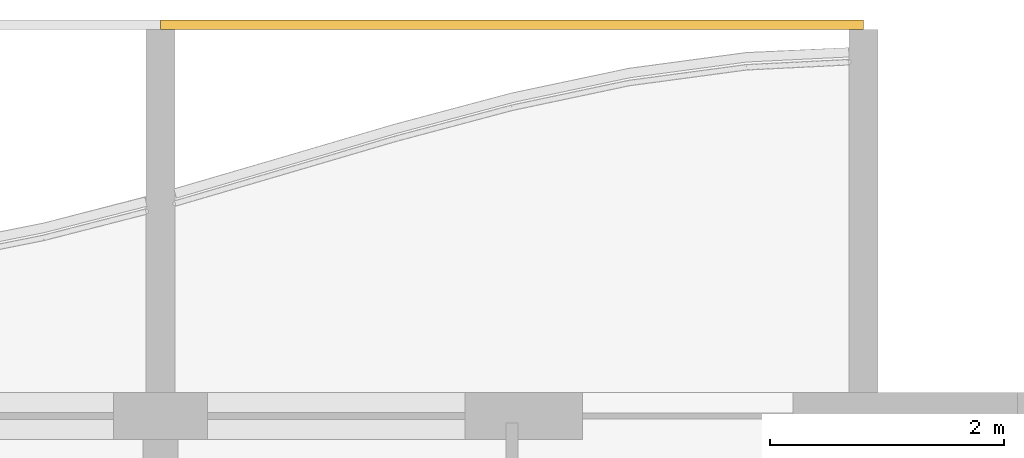
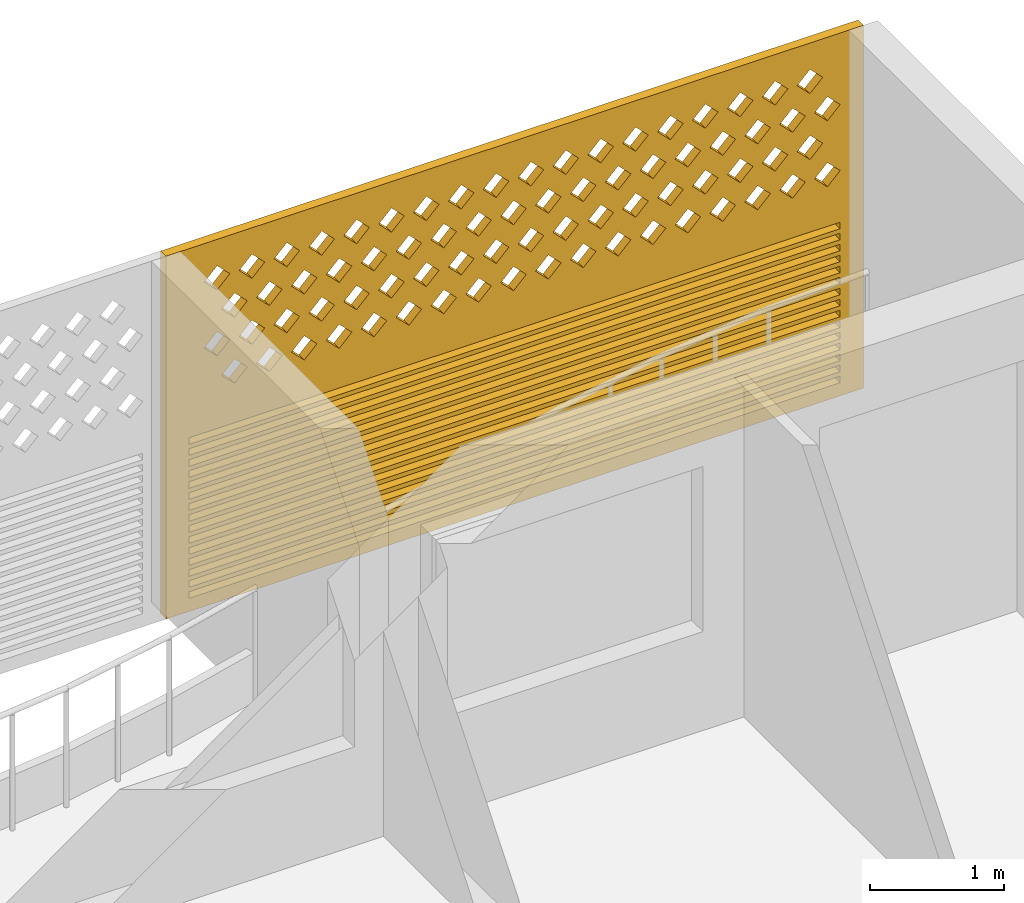
# One storey, part 32 of 32: 1 covering.
"""IFC4 building model written with IfcOpenShell, lengths in metres."""

from ifc_helpers import new_model, si_unit, direction, frame, origin, place, context, subcontext, project, spatial, polyline, outline, extrude, source, transform, mapped, material, material_profile, profile_set, type_object, element, save


model = new_model("IFC4")

# Units and contexts
model_context = context("Model", 3, precision=1e-05, world=origin(), true_north=direction((0.0, 1.0)))
body_context = subcontext(model_context, "Body", "Model", "MODEL_VIEW")
ifc_project = project(units=[si_unit("LENGTHUNIT", "METRE"), si_unit("AREAUNIT", "SQUARE_METRE"), si_unit("VOLUMEUNIT", "CUBIC_METRE"), si_unit("PLANEANGLEUNIT", "RADIAN"), si_unit("MASSUNIT", "GRAM", prefix="KILO")], contexts=[model_context])

# Site, building, storey
site_placement = place(None, origin())
site = spatial("IfcSite", under=ifc_project, at=site_placement, CompositionType="ELEMENT")
building_placement = place(site_placement, origin())
building = spatial("IfcBuilding", under=site, at=building_placement, Name="Poui Terraces", CompositionType="ELEMENT")
storey_placement = place(building_placement, frame((0.0, 0.0, 155.39990234375)))
storey = spatial("IfcBuildingStorey", under=building, at=storey_placement, Name="L43", CompositionType="ELEMENT", Elevation=155.39990234375)

# Covering
ifc_material = material(Name="Terracotta screen", Category="masonry")
ifc_material_profile = material_profile(ifc_material, outline(polyline([(-3.0, -1.64990234375), (3.0, -1.64990234375), (3.0, 1.64990234375), (-3.0, 1.64990234375), (-3.0, -1.64990234375)]), holes=[polyline([(-2.800048828125, 0.39990234375), (-2.68994140625, 0.2900390625), (-2.580078125, 0.39990234375), (-2.68994140625, 0.510009765625), (-2.800048828125, 0.39990234375)]), polyline([(-2.5, 0.39990234375), (-2.389892578125, 0.2900390625), (-2.280029296875, 0.39990234375), (-2.389892578125, 0.510009765625), (-2.5, 0.39990234375)]), polyline([(-2.199951171875, 0.39990234375), (-2.090087890625, 0.2900390625), (-1.97998046875, 0.39990234375), (-2.090087890625, 0.510009765625), (-2.199951171875, 0.39990234375)]), polyline([(-1.89990234375, 0.39990234375), (-1.7900390625, 0.2900390625), (-1.679931640625, 0.39990234375), (-1.7900390625, 0.510009765625), (-1.89990234375, 0.39990234375)]), polyline([(-1.60009765625, 0.39990234375), (-1.489990234375, 0.2900390625), (-1.3798828125, 0.39990234375), (-1.489990234375, 0.510009765625), (-1.60009765625, 0.39990234375)]), polyline([(-1.300048828125, 0.39990234375), (-1.18994140625, 0.2900390625), (-1.080078125, 0.39990234375), (-1.18994140625, 0.510009765625), (-1.300048828125, 0.39990234375)]), polyline([(-1.0, 0.39990234375), (-0.889892578125, 0.2900390625), (-0.780029296875, 0.39990234375), (-0.889892578125, 0.510009765625), (-1.0, 0.39990234375)]), polyline([(-0.699951171875, 0.39990234375), (-0.590087890625, 0.2900390625), (-0.47998046875, 0.39990234375), (-0.590087890625, 0.510009765625), (-0.699951171875, 0.39990234375)]), polyline([(-0.39990234375, 0.39990234375), (-0.2900390625, 0.2900390625), (-0.179931640625, 0.39990234375), (-0.2900390625, 0.510009765625), (-0.39990234375, 0.39990234375)]), polyline([(-0.10009765625, 0.39990234375), (0.010009765625, 0.2900390625), (0.1201171875, 0.39990234375), (0.010009765625, 0.510009765625), (-0.10009765625, 0.39990234375)]), polyline([(0.199951171875, 0.39990234375), (0.31005859375, 0.2900390625), (0.419921875, 0.39990234375), (0.31005859375, 0.510009765625), (0.199951171875, 0.39990234375)]), polyline([(0.5, 0.39990234375), (0.610107421875, 0.2900390625), (0.719970703125, 0.39990234375), (0.610107421875, 0.510009765625), (0.5, 0.39990234375)]), polyline([(0.800048828125, 0.39990234375), (0.909912109375, 0.2900390625), (1.02001953125, 0.39990234375), (0.909912109375, 0.510009765625), (0.800048828125, 0.39990234375)]), polyline([(1.10009765625, 0.39990234375), (1.2099609375, 0.2900390625), (1.320068359375, 0.39990234375), (1.2099609375, 0.510009765625), (1.10009765625, 0.39990234375)]), polyline([(1.39990234375, 0.39990234375), (1.510009765625, 0.2900390625), (1.6201171875, 0.39990234375), (1.510009765625, 0.510009765625), (1.39990234375, 0.39990234375)]), polyline([(1.699951171875, 0.39990234375), (1.81005859375, 0.2900390625), (1.919921875, 0.39990234375), (1.81005859375, 0.510009765625), (1.699951171875, 0.39990234375)]), polyline([(2.0, 0.39990234375), (2.110107421875, 0.2900390625), (2.219970703125, 0.39990234375), (2.110107421875, 0.510009765625), (2.0, 0.39990234375)]), polyline([(2.300048828125, 0.39990234375), (2.409912109375, 0.2900390625), (2.52001953125, 0.39990234375), (2.409912109375, 0.510009765625), (2.300048828125, 0.39990234375)]), polyline([(-2.64990234375, 0.699951171875), (-2.5400390625, 0.590087890625), (-2.429931640625, 0.699951171875), (-2.5400390625, 0.81005859375), (-2.64990234375, 0.699951171875)]), polyline([(-2.35009765625, 0.699951171875), (-2.239990234375, 0.590087890625), (-2.1298828125, 0.699951171875), (-2.239990234375, 0.81005859375), (-2.35009765625, 0.699951171875)]), polyline([(-2.050048828125, 0.699951171875), (-1.93994140625, 0.590087890625), (-1.830078125, 0.699951171875), (-1.93994140625, 0.81005859375), (-2.050048828125, 0.699951171875)]), polyline([(-1.75, 0.699951171875), (-1.639892578125, 0.590087890625), (-1.530029296875, 0.699951171875), (-1.639892578125, 0.81005859375), (-1.75, 0.699951171875)]), polyline([(-1.449951171875, 0.699951171875), (-1.340087890625, 0.590087890625), (-1.22998046875, 0.699951171875), (-1.340087890625, 0.81005859375), (-1.449951171875, 0.699951171875)]), polyline([(-1.14990234375, 0.699951171875), (-1.0400390625, 0.590087890625), (-0.929931640625, 0.699951171875), (-1.0400390625, 0.81005859375), (-1.14990234375, 0.699951171875)]), polyline([(-0.85009765625, 0.699951171875), (-0.739990234375, 0.590087890625), (-0.6298828125, 0.699951171875), (-0.739990234375, 0.81005859375), (-0.85009765625, 0.699951171875)]), polyline([(-0.550048828125, 0.699951171875), (-0.43994140625, 0.590087890625), (-0.330078125, 0.699951171875), (-0.43994140625, 0.81005859375), (-0.550048828125, 0.699951171875)]), polyline([(-0.25, 0.699951171875), (-0.139892578125, 0.590087890625), (-0.030029296875, 0.699951171875), (-0.139892578125, 0.81005859375), (-0.25, 0.699951171875)]), polyline([(0.050048828125, 0.699951171875), (0.159912109375, 0.590087890625), (0.27001953125, 0.699951171875), (0.159912109375, 0.81005859375), (0.050048828125, 0.699951171875)]), polyline([(0.35009765625, 0.699951171875), (0.4599609375, 0.590087890625), (0.570068359375, 0.699951171875), (0.4599609375, 0.81005859375), (0.35009765625, 0.699951171875)]), polyline([(0.64990234375, 0.699951171875), (0.760009765625, 0.590087890625), (0.8701171875, 0.699951171875), (0.760009765625, 0.81005859375), (0.64990234375, 0.699951171875)]), polyline([(0.949951171875, 0.699951171875), (1.06005859375, 0.590087890625), (1.169921875, 0.699951171875), (1.06005859375, 0.81005859375), (0.949951171875, 0.699951171875)]), polyline([(1.25, 0.699951171875), (1.360107421875, 0.590087890625), (1.469970703125, 0.699951171875), (1.360107421875, 0.81005859375), (1.25, 0.699951171875)]), polyline([(1.550048828125, 0.699951171875), (1.659912109375, 0.590087890625), (1.77001953125, 0.699951171875), (1.659912109375, 0.81005859375), (1.550048828125, 0.699951171875)]), polyline([(1.85009765625, 0.699951171875), (1.9599609375, 0.590087890625), (2.070068359375, 0.699951171875), (1.9599609375, 0.81005859375), (1.85009765625, 0.699951171875)]), polyline([(2.14990234375, 0.699951171875), (2.260009765625, 0.590087890625), (2.3701171875, 0.699951171875), (2.260009765625, 0.81005859375), (2.14990234375, 0.699951171875)]), polyline([(2.449951171875, 0.699951171875), (2.56005859375, 0.590087890625), (2.669921875, 0.699951171875), (2.56005859375, 0.81005859375), (2.449951171875, 0.699951171875)]), polyline([(-2.800048828125, 1.0), (-2.68994140625, 0.889892578125), (-2.580078125, 1.0), (-2.68994140625, 1.110107421875), (-2.800048828125, 1.0)]), polyline([(-2.5, 1.0), (-2.389892578125, 0.889892578125), (-2.280029296875, 1.0), (-2.389892578125, 1.110107421875), (-2.5, 1.0)]), polyline([(-2.199951171875, 1.0), (-2.090087890625, 0.889892578125), (-1.97998046875, 1.0), (-2.090087890625, 1.110107421875), (-2.199951171875, 1.0)]), polyline([(-1.89990234375, 1.0), (-1.7900390625, 0.889892578125), (-1.679931640625, 1.0), (-1.7900390625, 1.110107421875), (-1.89990234375, 1.0)]), polyline([(-1.60009765625, 1.0), (-1.489990234375, 0.889892578125), (-1.3798828125, 1.0), (-1.489990234375, 1.110107421875), (-1.60009765625, 1.0)]), polyline([(-1.300048828125, 1.0), (-1.18994140625, 0.889892578125), (-1.080078125, 1.0), (-1.18994140625, 1.110107421875), (-1.300048828125, 1.0)]), polyline([(-1.0, 1.0), (-0.889892578125, 0.889892578125), (-0.780029296875, 1.0), (-0.889892578125, 1.110107421875), (-1.0, 1.0)]), polyline([(-0.699951171875, 1.0), (-0.590087890625, 0.889892578125), (-0.47998046875, 1.0), (-0.590087890625, 1.110107421875), (-0.699951171875, 1.0)]), polyline([(-0.39990234375, 1.0), (-0.2900390625, 0.889892578125), (-0.179931640625, 1.0), (-0.2900390625, 1.110107421875), (-0.39990234375, 1.0)]), polyline([(-0.10009765625, 1.0), (0.010009765625, 0.889892578125), (0.1201171875, 1.0), (0.010009765625, 1.110107421875), (-0.10009765625, 1.0)]), polyline([(0.199951171875, 1.0), (0.31005859375, 0.889892578125), (0.419921875, 1.0), (0.31005859375, 1.110107421875), (0.199951171875, 1.0)]), polyline([(0.5, 1.0), (0.610107421875, 0.889892578125), (0.719970703125, 1.0), (0.610107421875, 1.110107421875), (0.5, 1.0)]), polyline([(0.800048828125, 1.0), (0.909912109375, 0.889892578125), (1.02001953125, 1.0), (0.909912109375, 1.110107421875), (0.800048828125, 1.0)]), polyline([(1.10009765625, 1.0), (1.2099609375, 0.889892578125), (1.320068359375, 1.0), (1.2099609375, 1.110107421875), (1.10009765625, 1.0)]), polyline([(1.39990234375, 1.0), (1.510009765625, 0.889892578125), (1.6201171875, 1.0), (1.510009765625, 1.110107421875), (1.39990234375, 1.0)]), polyline([(1.699951171875, 1.0), (1.81005859375, 0.889892578125), (1.919921875, 1.0), (1.81005859375, 1.110107421875), (1.699951171875, 1.0)]), polyline([(2.0, 1.0), (2.110107421875, 0.889892578125), (2.219970703125, 1.0), (2.110107421875, 1.110107421875), (2.0, 1.0)]), polyline([(2.300048828125, 1.0), (2.409912109375, 0.889892578125), (2.52001953125, 1.0), (2.409912109375, 1.110107421875), (2.300048828125, 1.0)]), polyline([(-2.64990234375, 1.300048828125), (-2.5400390625, 1.18994140625), (-2.429931640625, 1.300048828125), (-2.5400390625, 1.409912109375), (-2.64990234375, 1.300048828125)]), polyline([(-2.35009765625, 1.300048828125), (-2.239990234375, 1.18994140625), (-2.1298828125, 1.300048828125), (-2.239990234375, 1.409912109375), (-2.35009765625, 1.300048828125)]), polyline([(-2.050048828125, 1.300048828125), (-1.93994140625, 1.18994140625), (-1.830078125, 1.300048828125), (-1.93994140625, 1.409912109375), (-2.050048828125, 1.300048828125)]), polyline([(-1.75, 1.300048828125), (-1.639892578125, 1.18994140625), (-1.530029296875, 1.300048828125), (-1.639892578125, 1.409912109375), (-1.75, 1.300048828125)]), polyline([(-1.449951171875, 1.300048828125), (-1.340087890625, 1.18994140625), (-1.22998046875, 1.300048828125), (-1.340087890625, 1.409912109375), (-1.449951171875, 1.300048828125)]), polyline([(-1.14990234375, 1.300048828125), (-1.0400390625, 1.18994140625), (-0.929931640625, 1.300048828125), (-1.0400390625, 1.409912109375), (-1.14990234375, 1.300048828125)]), polyline([(-0.85009765625, 1.300048828125), (-0.739990234375, 1.18994140625), (-0.6298828125, 1.300048828125), (-0.739990234375, 1.409912109375), (-0.85009765625, 1.300048828125)]), polyline([(-0.550048828125, 1.300048828125), (-0.43994140625, 1.18994140625), (-0.330078125, 1.300048828125), (-0.43994140625, 1.409912109375), (-0.550048828125, 1.300048828125)]), polyline([(-0.25, 1.300048828125), (-0.139892578125, 1.18994140625), (-0.030029296875, 1.300048828125), (-0.139892578125, 1.409912109375), (-0.25, 1.300048828125)]), polyline([(0.050048828125, 1.300048828125), (0.159912109375, 1.18994140625), (0.27001953125, 1.300048828125), (0.159912109375, 1.409912109375), (0.050048828125, 1.300048828125)]), polyline([(0.35009765625, 1.300048828125), (0.4599609375, 1.18994140625), (0.570068359375, 1.300048828125), (0.4599609375, 1.409912109375), (0.35009765625, 1.300048828125)]), polyline([(0.64990234375, 1.300048828125), (0.760009765625, 1.18994140625), (0.8701171875, 1.300048828125), (0.760009765625, 1.409912109375), (0.64990234375, 1.300048828125)]), polyline([(0.949951171875, 1.300048828125), (1.06005859375, 1.18994140625), (1.169921875, 1.300048828125), (1.06005859375, 1.409912109375), (0.949951171875, 1.300048828125)]), polyline([(1.25, 1.300048828125), (1.360107421875, 1.18994140625), (1.469970703125, 1.300048828125), (1.360107421875, 1.409912109375), (1.25, 1.300048828125)]), polyline([(1.550048828125, 1.300048828125), (1.659912109375, 1.18994140625), (1.77001953125, 1.300048828125), (1.659912109375, 1.409912109375), (1.550048828125, 1.300048828125)]), polyline([(1.85009765625, 1.300048828125), (1.9599609375, 1.18994140625), (2.070068359375, 1.300048828125), (1.9599609375, 1.409912109375), (1.85009765625, 1.300048828125)]), polyline([(2.14990234375, 1.300048828125), (2.260009765625, 1.18994140625), (2.3701171875, 1.300048828125), (2.260009765625, 1.409912109375), (2.14990234375, 1.300048828125)]), polyline([(2.449951171875, 1.300048828125), (2.56005859375, 1.18994140625), (2.669921875, 1.300048828125), (2.56005859375, 1.409912109375), (2.449951171875, 1.300048828125)]), polyline([(-2.800048828125, -1.530029296875), (2.800048828125, -1.530029296875), (2.800048828125, -1.469970703125), (-2.800048828125, -1.469970703125), (-2.800048828125, -1.530029296875)]), polyline([(-2.800048828125, -1.429931640625), (2.800048828125, -1.429931640625), (2.800048828125, -1.3701171875), (-2.800048828125, -1.3701171875), (-2.800048828125, -1.429931640625)]), polyline([(-2.800048828125, -1.330078125), (2.800048828125, -1.330078125), (2.800048828125, -1.27001953125), (-2.800048828125, -1.27001953125), (-2.800048828125, -1.330078125)]), polyline([(-2.800048828125, -1.22998046875), (2.800048828125, -1.22998046875), (2.800048828125, -1.169921875), (-2.800048828125, -1.169921875), (-2.800048828125, -1.22998046875)]), polyline([(-2.800048828125, -1.1298828125), (2.800048828125, -1.1298828125), (2.800048828125, -1.070068359375), (-2.800048828125, -1.070068359375), (-2.800048828125, -1.1298828125)]), polyline([(-2.800048828125, -1.030029296875), (2.800048828125, -1.030029296875), (2.800048828125, -0.969970703125), (-2.800048828125, -0.969970703125), (-2.800048828125, -1.030029296875)]), polyline([(-2.800048828125, -0.929931640625), (2.800048828125, -0.929931640625), (2.800048828125, -0.8701171875), (-2.800048828125, -0.8701171875), (-2.800048828125, -0.929931640625)]), polyline([(-2.800048828125, -0.830078125), (2.800048828125, -0.830078125), (2.800048828125, -0.77001953125), (-2.800048828125, -0.77001953125), (-2.800048828125, -0.830078125)]), polyline([(-2.800048828125, -0.72998046875), (2.800048828125, -0.72998046875), (2.800048828125, -0.669921875), (-2.800048828125, -0.669921875), (-2.800048828125, -0.72998046875)]), polyline([(-2.800048828125, -0.6298828125), (2.800048828125, -0.6298828125), (2.800048828125, -0.570068359375), (-2.800048828125, -0.570068359375), (-2.800048828125, -0.6298828125)]), polyline([(-2.800048828125, -0.530029296875), (2.800048828125, -0.530029296875), (2.800048828125, -0.469970703125), (-2.800048828125, -0.469970703125), (-2.800048828125, -0.530029296875)]), polyline([(-2.800048828125, -0.429931640625), (2.800048828125, -0.429931640625), (2.800048828125, -0.3701171875), (-2.800048828125, -0.3701171875), (-2.800048828125, -0.429931640625)]), polyline([(-2.800048828125, -0.330078125), (2.800048828125, -0.330078125), (2.800048828125, -0.27001953125), (-2.800048828125, -0.27001953125), (-2.800048828125, -0.330078125)]), polyline([(-2.800048828125, -0.22998046875), (2.800048828125, -0.22998046875), (2.800048828125, -0.169921875), (-2.800048828125, -0.169921875), (-2.800048828125, -0.22998046875)]), polyline([(-2.800048828125, -0.1298828125), (2.800048828125, -0.1298828125), (2.800048828125, -0.070068359375), (-2.800048828125, -0.070068359375), (-2.800048828125, -0.1298828125)])]), Name="TERRACOTTA SCREEN AND JALOUSIE LOUVRE 6000X3300")
ifc_profile_set = profile_set([ifc_material_profile], Name="Terracotta screen")
covering_type = type_object("IfcCoveringType", Name="TERRACOTTA SCREEN AND JALOUSIE LOUVRE 6000X3300", PredefinedType="CLADDING", material=ifc_profile_set)
shared_shape = source(origin(), body_context, "Body", "SweptSolid", [
    extrude(outline(polyline([(-3.0, -1.64990234375), (3.0, -1.64990234375), (3.0, 1.64990234375), (-3.0, 1.64990234375), (-3.0, -1.64990234375)]), holes=[polyline([(-2.800048828125, 0.39990234375), (-2.68994140625, 0.2900390625), (-2.580078125, 0.39990234375), (-2.68994140625, 0.510009765625), (-2.800048828125, 0.39990234375)]), polyline([(-2.5, 0.39990234375), (-2.389892578125, 0.2900390625), (-2.280029296875, 0.39990234375), (-2.389892578125, 0.510009765625), (-2.5, 0.39990234375)]), polyline([(-2.199951171875, 0.39990234375), (-2.090087890625, 0.2900390625), (-1.97998046875, 0.39990234375), (-2.090087890625, 0.510009765625), (-2.199951171875, 0.39990234375)]), polyline([(-1.89990234375, 0.39990234375), (-1.7900390625, 0.2900390625), (-1.679931640625, 0.39990234375), (-1.7900390625, 0.510009765625), (-1.89990234375, 0.39990234375)]), polyline([(-1.60009765625, 0.39990234375), (-1.489990234375, 0.2900390625), (-1.3798828125, 0.39990234375), (-1.489990234375, 0.510009765625), (-1.60009765625, 0.39990234375)]), polyline([(-1.300048828125, 0.39990234375), (-1.18994140625, 0.2900390625), (-1.080078125, 0.39990234375), (-1.18994140625, 0.510009765625), (-1.300048828125, 0.39990234375)]), polyline([(-1.0, 0.39990234375), (-0.889892578125, 0.2900390625), (-0.780029296875, 0.39990234375), (-0.889892578125, 0.510009765625), (-1.0, 0.39990234375)]), polyline([(-0.699951171875, 0.39990234375), (-0.590087890625, 0.2900390625), (-0.47998046875, 0.39990234375), (-0.590087890625, 0.510009765625), (-0.699951171875, 0.39990234375)]), polyline([(-0.39990234375, 0.39990234375), (-0.2900390625, 0.2900390625), (-0.179931640625, 0.39990234375), (-0.2900390625, 0.510009765625), (-0.39990234375, 0.39990234375)]), polyline([(-0.10009765625, 0.39990234375), (0.010009765625, 0.2900390625), (0.1201171875, 0.39990234375), (0.010009765625, 0.510009765625), (-0.10009765625, 0.39990234375)]), polyline([(0.199951171875, 0.39990234375), (0.31005859375, 0.2900390625), (0.419921875, 0.39990234375), (0.31005859375, 0.510009765625), (0.199951171875, 0.39990234375)]), polyline([(0.5, 0.39990234375), (0.610107421875, 0.2900390625), (0.719970703125, 0.39990234375), (0.610107421875, 0.510009765625), (0.5, 0.39990234375)]), polyline([(0.800048828125, 0.39990234375), (0.909912109375, 0.2900390625), (1.02001953125, 0.39990234375), (0.909912109375, 0.510009765625), (0.800048828125, 0.39990234375)]), polyline([(1.10009765625, 0.39990234375), (1.2099609375, 0.2900390625), (1.320068359375, 0.39990234375), (1.2099609375, 0.510009765625), (1.10009765625, 0.39990234375)]), polyline([(1.39990234375, 0.39990234375), (1.510009765625, 0.2900390625), (1.6201171875, 0.39990234375), (1.510009765625, 0.510009765625), (1.39990234375, 0.39990234375)]), polyline([(1.699951171875, 0.39990234375), (1.81005859375, 0.2900390625), (1.919921875, 0.39990234375), (1.81005859375, 0.510009765625), (1.699951171875, 0.39990234375)]), polyline([(2.0, 0.39990234375), (2.110107421875, 0.2900390625), (2.219970703125, 0.39990234375), (2.110107421875, 0.510009765625), (2.0, 0.39990234375)]), polyline([(2.300048828125, 0.39990234375), (2.409912109375, 0.2900390625), (2.52001953125, 0.39990234375), (2.409912109375, 0.510009765625), (2.300048828125, 0.39990234375)]), polyline([(-2.64990234375, 0.699951171875), (-2.5400390625, 0.590087890625), (-2.429931640625, 0.699951171875), (-2.5400390625, 0.81005859375), (-2.64990234375, 0.699951171875)]), polyline([(-2.35009765625, 0.699951171875), (-2.239990234375, 0.590087890625), (-2.1298828125, 0.699951171875), (-2.239990234375, 0.81005859375), (-2.35009765625, 0.699951171875)]), polyline([(-2.050048828125, 0.699951171875), (-1.93994140625, 0.590087890625), (-1.830078125, 0.699951171875), (-1.93994140625, 0.81005859375), (-2.050048828125, 0.699951171875)]), polyline([(-1.75, 0.699951171875), (-1.639892578125, 0.590087890625), (-1.530029296875, 0.699951171875), (-1.639892578125, 0.81005859375), (-1.75, 0.699951171875)]), polyline([(-1.449951171875, 0.699951171875), (-1.340087890625, 0.590087890625), (-1.22998046875, 0.699951171875), (-1.340087890625, 0.81005859375), (-1.449951171875, 0.699951171875)]), polyline([(-1.14990234375, 0.699951171875), (-1.0400390625, 0.590087890625), (-0.929931640625, 0.699951171875), (-1.0400390625, 0.81005859375), (-1.14990234375, 0.699951171875)]), polyline([(-0.85009765625, 0.699951171875), (-0.739990234375, 0.590087890625), (-0.6298828125, 0.699951171875), (-0.739990234375, 0.81005859375), (-0.85009765625, 0.699951171875)]), polyline([(-0.550048828125, 0.699951171875), (-0.43994140625, 0.590087890625), (-0.330078125, 0.699951171875), (-0.43994140625, 0.81005859375), (-0.550048828125, 0.699951171875)]), polyline([(-0.25, 0.699951171875), (-0.139892578125, 0.590087890625), (-0.030029296875, 0.699951171875), (-0.139892578125, 0.81005859375), (-0.25, 0.699951171875)]), polyline([(0.050048828125, 0.699951171875), (0.159912109375, 0.590087890625), (0.27001953125, 0.699951171875), (0.159912109375, 0.81005859375), (0.050048828125, 0.699951171875)]), polyline([(0.35009765625, 0.699951171875), (0.4599609375, 0.590087890625), (0.570068359375, 0.699951171875), (0.4599609375, 0.81005859375), (0.35009765625, 0.699951171875)]), polyline([(0.64990234375, 0.699951171875), (0.760009765625, 0.590087890625), (0.8701171875, 0.699951171875), (0.760009765625, 0.81005859375), (0.64990234375, 0.699951171875)]), polyline([(0.949951171875, 0.699951171875), (1.06005859375, 0.590087890625), (1.169921875, 0.699951171875), (1.06005859375, 0.81005859375), (0.949951171875, 0.699951171875)]), polyline([(1.25, 0.699951171875), (1.360107421875, 0.590087890625), (1.469970703125, 0.699951171875), (1.360107421875, 0.81005859375), (1.25, 0.699951171875)]), polyline([(1.550048828125, 0.699951171875), (1.659912109375, 0.590087890625), (1.77001953125, 0.699951171875), (1.659912109375, 0.81005859375), (1.550048828125, 0.699951171875)]), polyline([(1.85009765625, 0.699951171875), (1.9599609375, 0.590087890625), (2.070068359375, 0.699951171875), (1.9599609375, 0.81005859375), (1.85009765625, 0.699951171875)]), polyline([(2.14990234375, 0.699951171875), (2.260009765625, 0.590087890625), (2.3701171875, 0.699951171875), (2.260009765625, 0.81005859375), (2.14990234375, 0.699951171875)]), polyline([(2.449951171875, 0.699951171875), (2.56005859375, 0.590087890625), (2.669921875, 0.699951171875), (2.56005859375, 0.81005859375), (2.449951171875, 0.699951171875)]), polyline([(-2.800048828125, 1.0), (-2.68994140625, 0.889892578125), (-2.580078125, 1.0), (-2.68994140625, 1.110107421875), (-2.800048828125, 1.0)]), polyline([(-2.5, 1.0), (-2.389892578125, 0.889892578125), (-2.280029296875, 1.0), (-2.389892578125, 1.110107421875), (-2.5, 1.0)]), polyline([(-2.199951171875, 1.0), (-2.090087890625, 0.889892578125), (-1.97998046875, 1.0), (-2.090087890625, 1.110107421875), (-2.199951171875, 1.0)]), polyline([(-1.89990234375, 1.0), (-1.7900390625, 0.889892578125), (-1.679931640625, 1.0), (-1.7900390625, 1.110107421875), (-1.89990234375, 1.0)]), polyline([(-1.60009765625, 1.0), (-1.489990234375, 0.889892578125), (-1.3798828125, 1.0), (-1.489990234375, 1.110107421875), (-1.60009765625, 1.0)]), polyline([(-1.300048828125, 1.0), (-1.18994140625, 0.889892578125), (-1.080078125, 1.0), (-1.18994140625, 1.110107421875), (-1.300048828125, 1.0)]), polyline([(-1.0, 1.0), (-0.889892578125, 0.889892578125), (-0.780029296875, 1.0), (-0.889892578125, 1.110107421875), (-1.0, 1.0)]), polyline([(-0.699951171875, 1.0), (-0.590087890625, 0.889892578125), (-0.47998046875, 1.0), (-0.590087890625, 1.110107421875), (-0.699951171875, 1.0)]), polyline([(-0.39990234375, 1.0), (-0.2900390625, 0.889892578125), (-0.179931640625, 1.0), (-0.2900390625, 1.110107421875), (-0.39990234375, 1.0)]), polyline([(-0.10009765625, 1.0), (0.010009765625, 0.889892578125), (0.1201171875, 1.0), (0.010009765625, 1.110107421875), (-0.10009765625, 1.0)]), polyline([(0.199951171875, 1.0), (0.31005859375, 0.889892578125), (0.419921875, 1.0), (0.31005859375, 1.110107421875), (0.199951171875, 1.0)]), polyline([(0.5, 1.0), (0.610107421875, 0.889892578125), (0.719970703125, 1.0), (0.610107421875, 1.110107421875), (0.5, 1.0)]), polyline([(0.800048828125, 1.0), (0.909912109375, 0.889892578125), (1.02001953125, 1.0), (0.909912109375, 1.110107421875), (0.800048828125, 1.0)]), polyline([(1.10009765625, 1.0), (1.2099609375, 0.889892578125), (1.320068359375, 1.0), (1.2099609375, 1.110107421875), (1.10009765625, 1.0)]), polyline([(1.39990234375, 1.0), (1.510009765625, 0.889892578125), (1.6201171875, 1.0), (1.510009765625, 1.110107421875), (1.39990234375, 1.0)]), polyline([(1.699951171875, 1.0), (1.81005859375, 0.889892578125), (1.919921875, 1.0), (1.81005859375, 1.110107421875), (1.699951171875, 1.0)]), polyline([(2.0, 1.0), (2.110107421875, 0.889892578125), (2.219970703125, 1.0), (2.110107421875, 1.110107421875), (2.0, 1.0)]), polyline([(2.300048828125, 1.0), (2.409912109375, 0.889892578125), (2.52001953125, 1.0), (2.409912109375, 1.110107421875), (2.300048828125, 1.0)]), polyline([(-2.64990234375, 1.300048828125), (-2.5400390625, 1.18994140625), (-2.429931640625, 1.300048828125), (-2.5400390625, 1.409912109375), (-2.64990234375, 1.300048828125)]), polyline([(-2.35009765625, 1.300048828125), (-2.239990234375, 1.18994140625), (-2.1298828125, 1.300048828125), (-2.239990234375, 1.409912109375), (-2.35009765625, 1.300048828125)]), polyline([(-2.050048828125, 1.300048828125), (-1.93994140625, 1.18994140625), (-1.830078125, 1.300048828125), (-1.93994140625, 1.409912109375), (-2.050048828125, 1.300048828125)]), polyline([(-1.75, 1.300048828125), (-1.639892578125, 1.18994140625), (-1.530029296875, 1.300048828125), (-1.639892578125, 1.409912109375), (-1.75, 1.300048828125)]), polyline([(-1.449951171875, 1.300048828125), (-1.340087890625, 1.18994140625), (-1.22998046875, 1.300048828125), (-1.340087890625, 1.409912109375), (-1.449951171875, 1.300048828125)]), polyline([(-1.14990234375, 1.300048828125), (-1.0400390625, 1.18994140625), (-0.929931640625, 1.300048828125), (-1.0400390625, 1.409912109375), (-1.14990234375, 1.300048828125)]), polyline([(-0.85009765625, 1.300048828125), (-0.739990234375, 1.18994140625), (-0.6298828125, 1.300048828125), (-0.739990234375, 1.409912109375), (-0.85009765625, 1.300048828125)]), polyline([(-0.550048828125, 1.300048828125), (-0.43994140625, 1.18994140625), (-0.330078125, 1.300048828125), (-0.43994140625, 1.409912109375), (-0.550048828125, 1.300048828125)]), polyline([(-0.25, 1.300048828125), (-0.139892578125, 1.18994140625), (-0.030029296875, 1.300048828125), (-0.139892578125, 1.409912109375), (-0.25, 1.300048828125)]), polyline([(0.050048828125, 1.300048828125), (0.159912109375, 1.18994140625), (0.27001953125, 1.300048828125), (0.159912109375, 1.409912109375), (0.050048828125, 1.300048828125)]), polyline([(0.35009765625, 1.300048828125), (0.4599609375, 1.18994140625), (0.570068359375, 1.300048828125), (0.4599609375, 1.409912109375), (0.35009765625, 1.300048828125)]), polyline([(0.64990234375, 1.300048828125), (0.760009765625, 1.18994140625), (0.8701171875, 1.300048828125), (0.760009765625, 1.409912109375), (0.64990234375, 1.300048828125)]), polyline([(0.949951171875, 1.300048828125), (1.06005859375, 1.18994140625), (1.169921875, 1.300048828125), (1.06005859375, 1.409912109375), (0.949951171875, 1.300048828125)]), polyline([(1.25, 1.300048828125), (1.360107421875, 1.18994140625), (1.469970703125, 1.300048828125), (1.360107421875, 1.409912109375), (1.25, 1.300048828125)]), polyline([(1.550048828125, 1.300048828125), (1.659912109375, 1.18994140625), (1.77001953125, 1.300048828125), (1.659912109375, 1.409912109375), (1.550048828125, 1.300048828125)]), polyline([(1.85009765625, 1.300048828125), (1.9599609375, 1.18994140625), (2.070068359375, 1.300048828125), (1.9599609375, 1.409912109375), (1.85009765625, 1.300048828125)]), polyline([(2.14990234375, 1.300048828125), (2.260009765625, 1.18994140625), (2.3701171875, 1.300048828125), (2.260009765625, 1.409912109375), (2.14990234375, 1.300048828125)]), polyline([(2.449951171875, 1.300048828125), (2.56005859375, 1.18994140625), (2.669921875, 1.300048828125), (2.56005859375, 1.409912109375), (2.449951171875, 1.300048828125)]), polyline([(-2.800048828125, -1.530029296875), (2.800048828125, -1.530029296875), (2.800048828125, -1.469970703125), (-2.800048828125, -1.469970703125), (-2.800048828125, -1.530029296875)]), polyline([(-2.800048828125, -1.429931640625), (2.800048828125, -1.429931640625), (2.800048828125, -1.3701171875), (-2.800048828125, -1.3701171875), (-2.800048828125, -1.429931640625)]), polyline([(-2.800048828125, -1.330078125), (2.800048828125, -1.330078125), (2.800048828125, -1.27001953125), (-2.800048828125, -1.27001953125), (-2.800048828125, -1.330078125)]), polyline([(-2.800048828125, -1.22998046875), (2.800048828125, -1.22998046875), (2.800048828125, -1.169921875), (-2.800048828125, -1.169921875), (-2.800048828125, -1.22998046875)]), polyline([(-2.800048828125, -1.1298828125), (2.800048828125, -1.1298828125), (2.800048828125, -1.070068359375), (-2.800048828125, -1.070068359375), (-2.800048828125, -1.1298828125)]), polyline([(-2.800048828125, -1.030029296875), (2.800048828125, -1.030029296875), (2.800048828125, -0.969970703125), (-2.800048828125, -0.969970703125), (-2.800048828125, -1.030029296875)]), polyline([(-2.800048828125, -0.929931640625), (2.800048828125, -0.929931640625), (2.800048828125, -0.8701171875), (-2.800048828125, -0.8701171875), (-2.800048828125, -0.929931640625)]), polyline([(-2.800048828125, -0.830078125), (2.800048828125, -0.830078125), (2.800048828125, -0.77001953125), (-2.800048828125, -0.77001953125), (-2.800048828125, -0.830078125)]), polyline([(-2.800048828125, -0.72998046875), (2.800048828125, -0.72998046875), (2.800048828125, -0.669921875), (-2.800048828125, -0.669921875), (-2.800048828125, -0.72998046875)]), polyline([(-2.800048828125, -0.6298828125), (2.800048828125, -0.6298828125), (2.800048828125, -0.570068359375), (-2.800048828125, -0.570068359375), (-2.800048828125, -0.6298828125)]), polyline([(-2.800048828125, -0.530029296875), (2.800048828125, -0.530029296875), (2.800048828125, -0.469970703125), (-2.800048828125, -0.469970703125), (-2.800048828125, -0.530029296875)]), polyline([(-2.800048828125, -0.429931640625), (2.800048828125, -0.429931640625), (2.800048828125, -0.3701171875), (-2.800048828125, -0.3701171875), (-2.800048828125, -0.429931640625)]), polyline([(-2.800048828125, -0.330078125), (2.800048828125, -0.330078125), (2.800048828125, -0.27001953125), (-2.800048828125, -0.27001953125), (-2.800048828125, -0.330078125)]), polyline([(-2.800048828125, -0.22998046875), (2.800048828125, -0.22998046875), (2.800048828125, -0.169921875), (-2.800048828125, -0.169921875), (-2.800048828125, -0.22998046875)]), polyline([(-2.800048828125, -0.1298828125), (2.800048828125, -0.1298828125), (2.800048828125, -0.070068359375), (-2.800048828125, -0.070068359375), (-2.800048828125, -0.1298828125)])]), origin(), (0.0, 0.0, 1.0), 0.080078125),
])
covering_placement = place(storey_placement, frame((81.0, 45.699951171875, 1.4501953125), z_axis=(0.0, 1.0, 0.0), x_axis=(-1.0, 0.0, 0.0)))
element("IfcCovering", 1, at=covering_placement, inside=storey, type_object=covering_type, Name="SOLAR SCREEN AND JALOUSIE LOUVRE", PredefinedType="CLADDING", context=body_context, shape_type="MappedRepresentation", body=[
    mapped(shared_shape, transform((0.0, 0.0, 0.0))),
])

save(model, "model.ifc")
